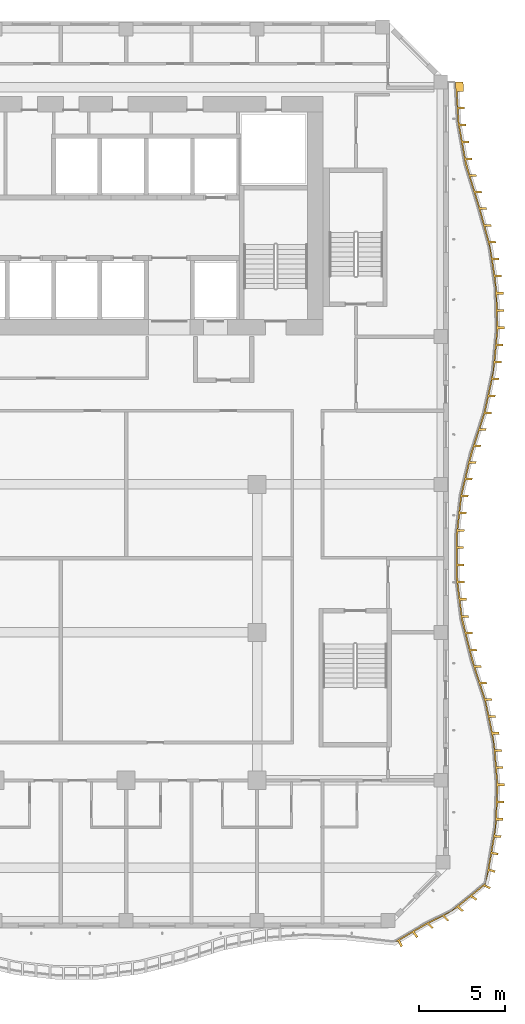
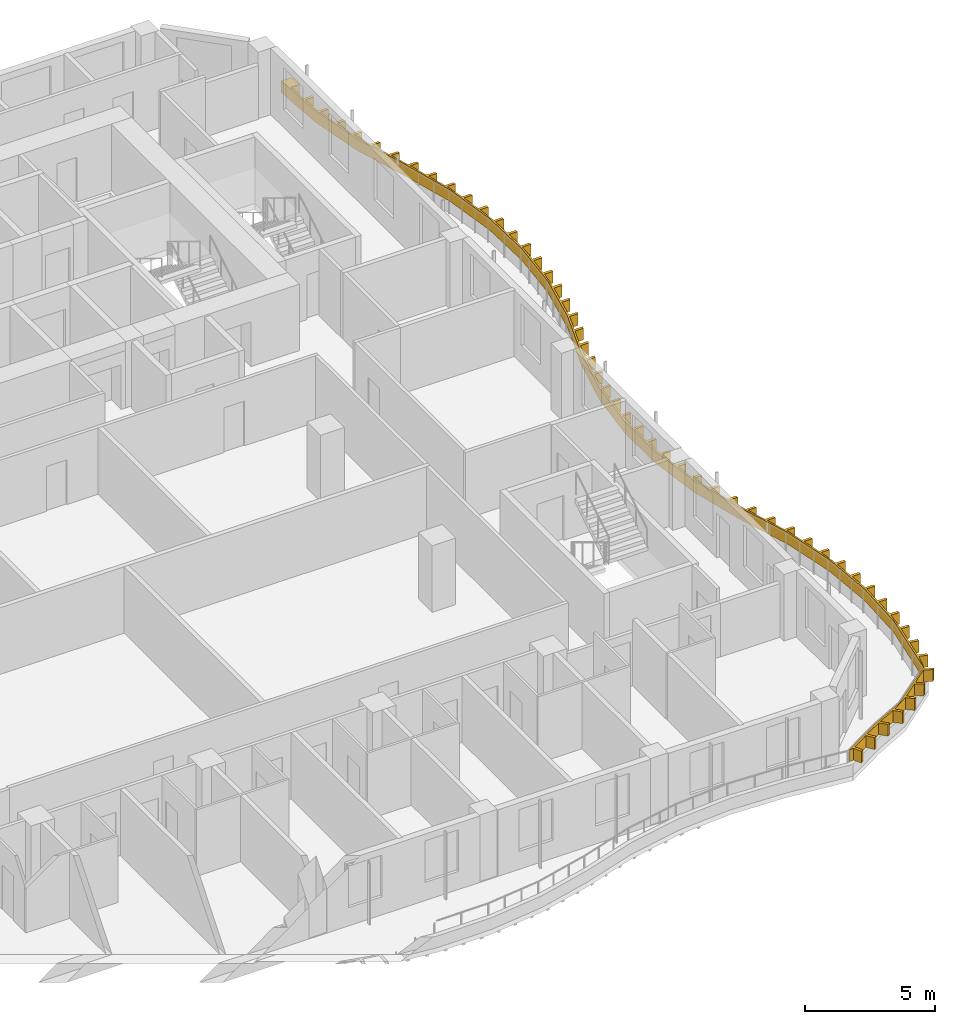
# One storey, part 19 of 22: 1 shading device.
"""IFC4 building model written with IfcOpenShell, lengths in metres."""

from ifc_helpers import new_model, si_unit, direction, frame, origin, place, context, subcontext, project, spatial, polyline, outline, extrude, source, transform, mapped, material, layer, layer_set, type_object, element, save


model = new_model("IFC4")

# Units and contexts
model_context = context("Model", 3, precision=1e-05, world=origin(), true_north=direction((0.0, 1.0)))
body_context = subcontext(model_context, "Body", "Model", "MODEL_VIEW")
ifc_project = project(units=[si_unit("LENGTHUNIT", "METRE"), si_unit("AREAUNIT", "SQUARE_METRE"), si_unit("VOLUMEUNIT", "CUBIC_METRE"), si_unit("PLANEANGLEUNIT", "RADIAN"), si_unit("MASSUNIT", "GRAM", prefix="KILO")], contexts=[model_context])

# Site, building, storey
site_placement = place(None, origin())
site = spatial("IfcSite", under=ifc_project, at=site_placement, CompositionType="ELEMENT")
building_placement = place(site_placement, origin())
building = spatial("IfcBuilding", under=site, at=building_placement, Name="Kilnfold Tower and Market Hall", CompositionType="ELEMENT")
storey_placement = place(building_placement, frame((0.0, 0.0, 171.89990234375)))
storey = spatial("IfcBuildingStorey", under=building, at=storey_placement, Name="L40", CompositionType="ELEMENT", Elevation=171.89990234375)

# Shading device
ifc_material = material(Name="Bronze anodised aluminium", Category="aluminium")
ifc_layer = layer(ifc_material, 0.550048828125)
ifc_layer_set = layer_set([ifc_layer], Name="Bronze anodised aluminium")
shading_device_type = type_object("IfcShadingDeviceType", Name="BRONZE SLAT FASCIA 550", PredefinedType="USERDEFINED", material=ifc_layer_set)
shared_shape = source(origin(), body_context, "Body", "SweptSolid", [
    extrude(outline(polyline([(22.4892578125, -27.342041015625), (22.332763671875, -27.009033203125), (22.158935546875, -27.021484375), (23.8515625, -26.01806640625), (25.411376953125, -25.24462890625), (27.392578125, -23.637451171875), (27.9521484375, -20.355224609375), (28.0458984375, -17.96044921875), (27.85400390625, -15.56591796875), (27.3681640625, -13.171142578125), (26.598388671875, -10.7763671875), (25.99560546875, -8.381591796875), (25.693359375, -5.98681640625), (25.678466796875, -3.592041015625), (25.9501953125, -1.197509765625), (26.5205078125, 1.197509765625), (27.299560546875, 3.592041015625), (27.817138671875, 5.98681640625), (28.039306640625, 8.381591796875), (27.975341796875, 10.7763671875), (27.623046875, 13.171142578125), (26.96630859375, 15.56591796875), (26.226806640625, 17.96044921875), (25.792724609375, 20.355224609375), (25.64990234375, 22.75), (26.10009765625, 22.75), (26.1337890625, 22.1845703125), (25.763671875, 22.1845703125), (25.81591796875, 21.30615234375), (26.18603515625, 21.30615234375), (26.193115234375, 21.186279296875), (25.8232421875, 21.186279296875), (25.881103515625, 20.30859375), (26.251220703125, 20.30859375), (26.272705078125, 20.1904296875), (25.902587890625, 20.1904296875), (26.0595703125, 19.32470703125), (26.4296875, 19.32470703125), (26.450927734375, 19.20654296875), (26.0810546875, 19.20654296875), (26.238037109375, 18.340576171875), (26.60791015625, 18.340576171875), (26.62939453125, 18.222412109375), (26.259521484375, 18.222412109375), (26.48779296875, 17.3740234375), (26.85791015625, 17.3740234375), (26.893310546875, 17.259521484375), (26.523193359375, 17.259521484375), (26.782958984375, 16.418701171875), (27.15283203125, 16.418701171875), (27.188232421875, 16.303955078125), (26.818359375, 16.303955078125), (27.07470703125, 15.462158203125), (27.444580078125, 15.462158203125), (27.476318359375, 15.346435546875), (27.1064453125, 15.346435546875), (27.339111328125, 14.497802734375), (27.709228515625, 14.497802734375), (27.740966796875, 14.382080078125), (27.370849609375, 14.382080078125), (27.603759765625, 13.533447265625), (27.9736328125, 13.533447265625), (28.005615234375, 13.417724609375), (27.635498046875, 13.417724609375), (27.7939453125, 12.553466796875), (28.1640625, 12.553466796875), (28.181396484375, 12.434814453125), (27.811279296875, 12.434814453125), (27.939453125, 11.564208984375), (28.3095703125, 11.564208984375), (28.326904296875, 11.4453125), (27.95703125, 11.4453125), (28.060791015625, 10.572509765625), (28.430908203125, 10.572509765625), (28.43408203125, 10.45263671875), (28.06396484375, 10.45263671875), (28.08740234375, 9.572998046875), (28.45751953125, 9.572998046875), (28.460693359375, 9.452880859375), (28.0908203125, 9.452880859375), (28.114013671875, 8.5732421875), (28.484130859375, 8.5732421875), (28.4873046875, 8.453369140625), (28.1171875, 8.453369140625), (28.044677734375, 7.576904296875), (28.41455078125, 7.576904296875), (28.403564453125, 7.45751953125), (28.033447265625, 7.45751953125), (27.952392578125, 6.5810546875), (28.322265625, 6.5810546875), (28.311279296875, 6.461669921875), (27.941162109375, 6.461669921875), (27.81201171875, 5.5927734375), (28.181884765625, 5.5927734375), (28.15673828125, 5.4755859375), (27.78662109375, 5.4755859375), (27.600830078125, 4.615234375), (27.970703125, 4.615234375), (27.9453125, 4.498046875), (27.575439453125, 4.498046875), (27.389404296875, 3.637939453125), (27.759521484375, 3.637939453125), (27.74951171875, 3.592041015625), (27.72705078125, 3.522705078125), (27.35693359375, 3.522705078125), (27.084716796875, 2.685791015625), (27.45458984375, 2.685791015625), (27.41748046875, 2.571533203125), (27.047607421875, 2.571533203125), (26.775390625, 1.73486328125), (27.145263671875, 1.73486328125), (27.108154296875, 1.62060546875), (26.738037109375, 1.62060546875), (26.499755859375, 0.7744140625), (26.86962890625, 0.7744140625), (26.841796875, 0.65771484375), (26.471923828125, 0.65771484375), (26.26806640625, -0.198486328125), (26.63818359375, -0.198486328125), (26.6103515625, -0.315185546875), (26.240234375, -0.315185546875), (26.036376953125, -1.171142578125), (26.406494140625, -1.171142578125), (26.3896484375, -1.289794921875), (26.019775390625, -1.289794921875), (25.92041015625, -2.164306640625), (26.29052734375, -2.164306640625), (26.277099609375, -2.283447265625), (25.906982421875, -2.283447265625), (25.807861328125, -3.157958984375), (26.177734375, -3.157958984375), (26.164306640625, -3.277099609375), (25.794189453125, -3.277099609375), (25.761962890625, -4.155029296875), (26.132080078125, -4.155029296875), (26.1328125, -4.275146484375), (25.7626953125, -4.275146484375), (25.768310546875, -5.155029296875), (26.13818359375, -5.155029296875), (26.138916015625, -5.275146484375), (25.76904296875, -5.275146484375), (25.79443359375, -6.15380859375), (26.16455078125, -6.15380859375), (26.179443359375, -6.272705078125), (25.8095703125, -6.272705078125), (25.919677734375, -7.14599609375), (26.28955078125, -7.14599609375), (26.3046875, -7.264892578125), (25.9345703125, -7.264892578125), (26.044921875, -8.137939453125), (26.414794921875, -8.137939453125), (26.4296875, -8.257080078125), (26.059814453125, -8.257080078125), (26.259765625, -9.11328125), (26.629638671875, -9.11328125), (26.658935546875, -9.229736328125), (26.2890625, -9.229736328125), (26.50390625, -10.0830078125), (26.873779296875, -10.0830078125), (26.903076171875, -10.199462890625), (26.533203125, -10.199462890625), (26.765380859375, -11.047607421875), (27.135498046875, -11.047607421875), (27.17236328125, -11.162109375), (26.80224609375, -11.162109375), (27.071533203125, -11.999755859375), (27.441650390625, -11.999755859375), (27.478271484375, -12.114013671875), (27.1083984375, -12.114013671875), (27.377685546875, -12.951904296875), (27.74755859375, -12.951904296875), (27.7841796875, -13.06591796875), (27.414306640625, -13.06591796875), (27.60107421875, -13.92529296875), (27.97119140625, -13.92529296875), (27.9951171875, -14.04296875), (27.625, -14.04296875), (27.7998046875, -14.905517578125), (28.169921875, -14.905517578125), (28.19384765625, -15.02294921875), (27.82373046875, -15.02294921875), (27.9599609375, -15.890869140625), (28.330078125, -15.890869140625), (28.339599609375, -16.010498046875), (27.969482421875, -16.010498046875), (28.039794921875, -16.8876953125), (28.409912109375, -16.8876953125), (28.41943359375, -17.00732421875), (28.04931640625, -17.00732421875), (28.11962890625, -17.884521484375), (28.48974609375, -17.884521484375), (28.495849609375, -17.96044921875), (28.494140625, -18.004150390625), (28.1240234375, -18.004150390625), (28.089599609375, -18.883544921875), (28.459716796875, -18.883544921875), (28.455078125, -19.00341796875), (28.0849609375, -19.00341796875), (28.05078125, -19.8828125), (28.420654296875, -19.8828125), (28.416015625, -20.002685546875), (28.0458984375, -20.002685546875), (27.943603515625, -20.86767578125), (28.310302734375, -20.8896484375), (28.289306640625, -21.01123046875), (27.92333984375, -20.984375), (27.7763671875, -21.839599609375), (28.135986328125, -21.9033203125), (28.114990234375, -22.025146484375), (27.756591796875, -21.956298828125), (27.61083984375, -22.8115234375), (27.961669921875, -22.917236328125), (27.94091796875, -23.038818359375), (27.59130859375, -22.92822265625), (27.375, -23.7421875), (27.713623046875, -23.889404296875), (27.61865234375, -23.9697265625), (27.283447265625, -23.81689453125), (26.6123046875, -24.36328125), (26.922119140625, -24.55712890625), (26.826904296875, -24.63720703125), (26.52099609375, -24.437744140625), (25.85205078125, -24.985595703125), (26.13037109375, -25.224853515625), (26.035400390625, -25.304931640625), (25.760986328125, -25.060302734375), (25.025390625, -25.5205078125), (25.287109375, -25.7822265625), (25.1796875, -25.835693359375), (24.91796875, -25.573974609375), (24.129638671875, -25.96484375), (24.39111328125, -26.2265625), (24.28369140625, -26.27978515625), (24.02197265625, -26.01806640625), (23.273681640625, -26.448974609375), (23.494140625, -26.740478515625), (23.38671875, -26.804931640625), (23.1728515625, -26.5087890625), (22.43359375, -26.94873046875), (22.596923828125, -27.277587890625), (22.4892578125, -27.342041015625)])), origin(), (0.0, 0.0, 1.0), 0.550048828125),
])
shading_device_placement = place(storey_placement, frame((0.0, 0.0, 0.550048828125)))
element("IfcShadingDevice", 1, at=shading_device_placement, inside=storey, type_object=shading_device_type, Name="Balcony slat fascia L40", ObjectType="SLAT", PredefinedType="USERDEFINED", context=body_context, shape_type="MappedRepresentation", body=[
    mapped(shared_shape, transform((0.0, 0.0, 0.0))),
])

save(model, "model.ifc")
